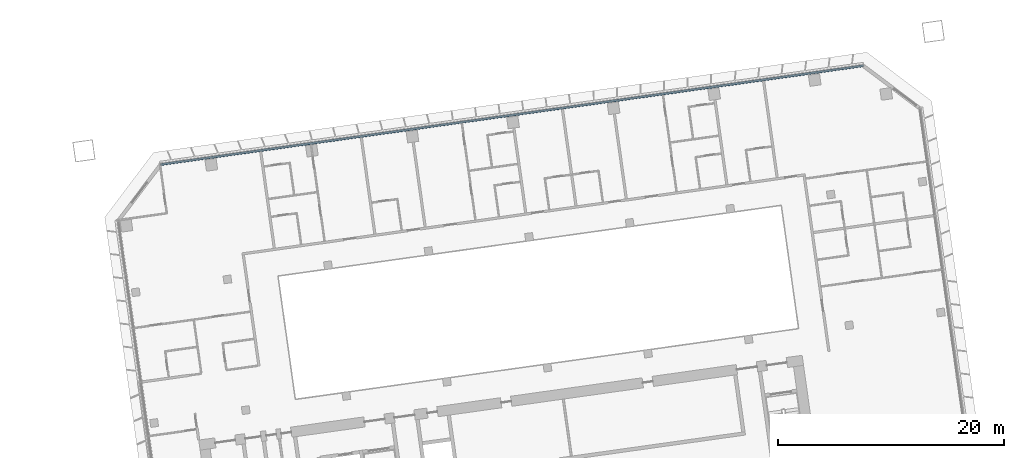
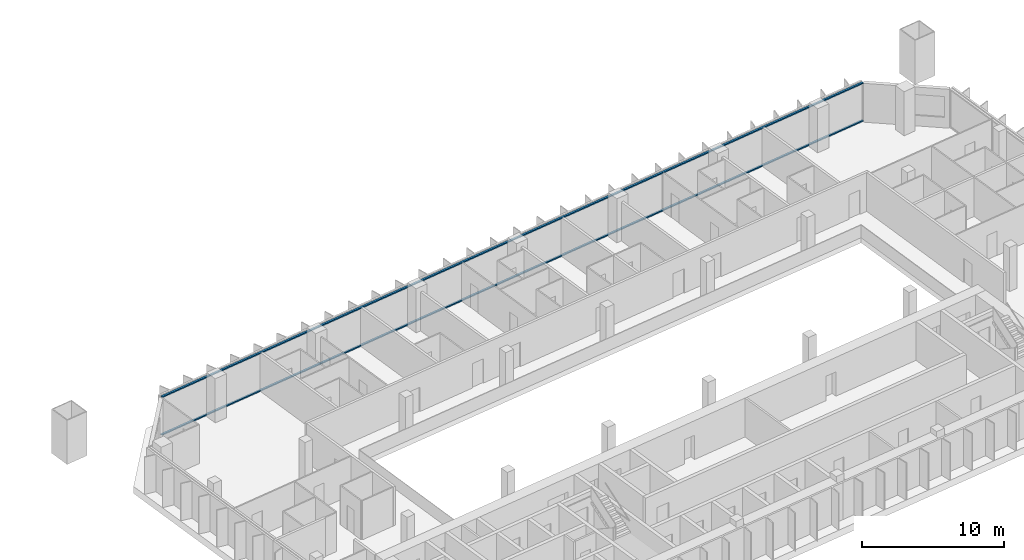
# One storey, part 9 of 25: 2 members, 1 element without a shape of its own.
"""IFC4 building model written with IfcOpenShell, lengths in metres."""

from ifc_helpers import new_model, si_unit, direction, frame, origin, origin_2d, place, context, subcontext, project, spatial, rectangle, extrude, material, material_profile, profile_set, type_object, element, aggregate, save


model = new_model("IFC4")

# Units and contexts
model_context = context("Model", 3, precision=1e-05, world=origin(), true_north=direction((0.0, 1.0)))
body_context = subcontext(model_context, "Body", "Model", "MODEL_VIEW")
ifc_project = project(units=[si_unit("LENGTHUNIT", "METRE"), si_unit("AREAUNIT", "SQUARE_METRE"), si_unit("VOLUMEUNIT", "CUBIC_METRE"), si_unit("PLANEANGLEUNIT", "RADIAN"), si_unit("MASSUNIT", "GRAM", prefix="KILO")], contexts=[model_context])

# Site, building, storey
site_placement = place(None, origin())
site = spatial("IfcSite", under=ifc_project, at=site_placement, CompositionType="ELEMENT")
building_placement = place(site_placement, origin())
building = spatial("IfcBuilding", under=site, at=building_placement, Name="Mirante Cascada Hotel Towers", CompositionType="ELEMENT")
storey_placement = place(building_placement, frame((0.0, 0.0, 54.7)))
storey = spatial("IfcBuildingStorey", under=building, at=storey_placement, Name="L10", CompositionType="ELEMENT", Elevation=54.7)

# Curtain wall, members
ifc_material_1 = material(Name="Aluminium mullion and transom frame with clear laminated glass", Category="aluminium")
curtain_wall_type = type_object("IfcCurtainWallType", Name="Ribbon curtain wall ECW1", PredefinedType="NOTDEFINED", material=ifc_material_1)
curtain_wall_placement = place(storey_placement, origin())
curtain_wall = element("IfcCurtainWall", 1, at=curtain_wall_placement, inside=storey, type_object=curtain_wall_type, Name="Front ribbon wall T2 L10", PredefinedType="NOTDEFINED")
ifc_material_2 = material(Name="Anodised aluminium extrusion", Category="aluminium")
ifc_material_profile = material_profile(ifc_material_2, rectangle(XDim=0.16, YDim=0.1, at=origin_2d()), Name="ECW1 TRANSOM 100x160")
ifc_profile_set = profile_set([ifc_material_profile], Name="Anodised aluminium extrusion")
member_type = type_object("IfcMemberType", Name="ECW1 transom 100x160", PredefinedType="USERDEFINED", material=ifc_profile_set)
member_1_placement = place(storey_placement, frame((94.1582, 26.0521, 0.05), z_axis=(-0.9902681, -0.1391728, 0.0), x_axis=(0.1391728, -0.9902681, 0.0)))
member_1 = element("IfcMember", 2, at=member_1_placement, type_object=member_type, Name="ECW1 sill transom", ObjectType="TRANSOM", PredefinedType="USERDEFINED", context=body_context, shape_type="SweptSolid", body=[
    extrude(rectangle(XDim=0.16, YDim=0.1, at=origin_2d()), origin(), (0.0, 0.0, 1.0), 62.8758),
])
member_2_placement = place(storey_placement, frame((94.1582, 26.0521, 3.3), z_axis=(-0.9902681, -0.1391728, 0.0), x_axis=(0.1391728, -0.9902681, 0.0)))
member_2 = element("IfcMember", 3, at=member_2_placement, type_object=member_type, Name="ECW1 head transom", ObjectType="TRANSOM", PredefinedType="USERDEFINED", context=body_context, shape_type="SweptSolid", body=[
    extrude(rectangle(XDim=0.16, YDim=0.1, at=origin_2d()), origin(), (0.0, 0.0, 1.0), 62.8758),
])
aggregate(curtain_wall, [member_1, member_2])

save(model, "model.ifc")
